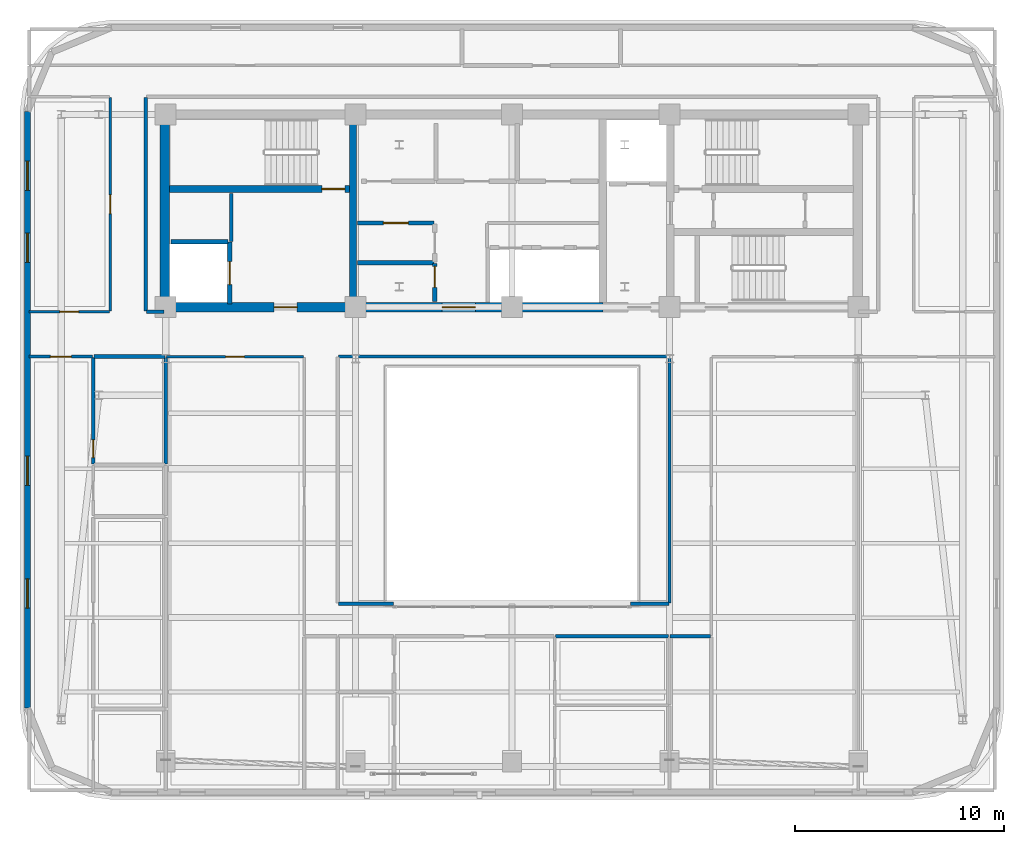
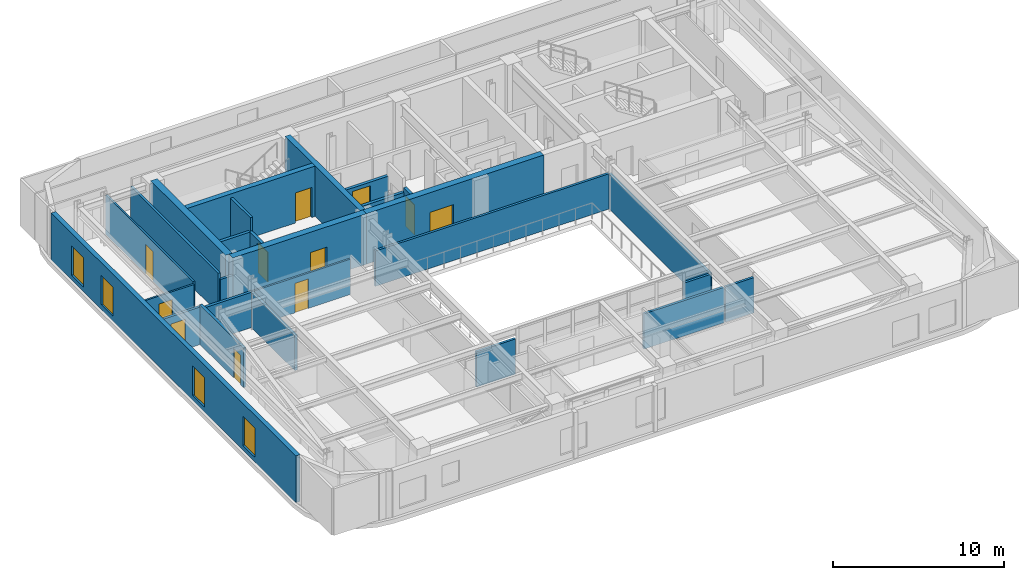
# One storey, part 7 of 14: 27 walls, 11 doors, 4 windows, 15 openings.
"""IFC4 building model written with IfcOpenShell, lengths in metres."""

from ifc_helpers import new_model, si_unit, direction, frame, frame_2d, origin, place, context, subcontext, project, spatial, rectangle, extrude, material, layer, layer_set, type_object, element, fill, save


model = new_model("IFC4")

# Units and contexts
model_context = context("Model", 3, precision=1e-05, world=origin(), true_north=direction((0.0, 1.0)))
body_context = subcontext(model_context, "Body", "Model", "MODEL_VIEW")
ifc_project = project(units=[si_unit("LENGTHUNIT", "METRE"), si_unit("AREAUNIT", "SQUARE_METRE"), si_unit("VOLUMEUNIT", "CUBIC_METRE"), si_unit("PLANEANGLEUNIT", "RADIAN"), si_unit("MASSUNIT", "GRAM", prefix="KILO")], contexts=[model_context])

# Site, building, storey
site_placement = place(None, origin())
site = spatial("IfcSite", under=ifc_project, at=site_placement, CompositionType="ELEMENT")
building_placement = place(site_placement, origin())
building = spatial("IfcBuilding", under=site, at=building_placement, Name="Zarnavel Station Tower", CompositionType="ELEMENT")
storey_placement = place(building_placement, frame((0.0, 0.0, 222.0)))
storey = spatial("IfcBuildingStorey", under=building, at=storey_placement, Name="L60", CompositionType="ELEMENT", Elevation=222.0)

# Wall
ifc_material_1 = material(Name="Concrete C50/60", Category="concrete")
ifc_layer_1 = layer(ifc_material_1, 0.35009765625)
ifc_layer_set_1 = layer_set([ifc_layer_1], Name="CW_350")
wall_type_1 = type_object("IfcWallType", Name="CW_350", PredefinedType="SHEAR", material=ifc_layer_set_1)
wall_1_placement = place(storey_placement, frame((21.179931640625, 28.044921875, 0.0), z_axis=(0.0, 0.0, 1.0), x_axis=(0.0, 1.0, 0.0)))
element("IfcWall", 1, at=wall_1_placement, inside=storey, type_object=wall_type_1, Name="L60 Rear Core Shear Wall DIV-W", PredefinedType="SHEAR", context=body_context, shape_type="SweptSolid", body=[
    extrude(rectangle(XDim=8.780029296875, YDim=0.35009765625, at=frame_2d((4.39013671875, 0.0))), origin(), (0.0, 0.0, 1.0), 3.60009765625),
])

# Wall, opening, door
wall_2_placement = place(storey_placement, frame((21.0048828125, 33.47998046875, 0.0), z_axis=(0.0, 0.0, 1.0), x_axis=(-1.0, 0.0, 0.0)))
wall_2 = element("IfcWall", 2, at=wall_2_placement, inside=storey, type_object=wall_type_1, Name="L60 Rear Core Shear Wall DIV-H1", PredefinedType="SHEAR", context=body_context, shape_type="SweptSolid", body=[
    extrude(rectangle(XDim=8.6298828125, YDim=0.35009765625, at=frame_2d((4.31494140625, 0.0))), origin(), (0.0, 0.0, 1.0), 3.60009765625),
])
opening_1_placement = place(wall_2_placement, frame((0.219970703125, 0.0, 0.0)))
opening_1 = element("IfcOpeningElement", 3, at=opening_1_placement, cuts=wall_2, Name="Opening FD01", PredefinedType="OPENING", context=body_context, shape_type="SweptSolid", body=[
    extrude(rectangle(XDim=1.10009765625, YDim=2.14990234375, at=frame_2d((0.550048828125, 1.074951171875))), frame((0.0, 0.18505859375, 0.0), z_axis=(0.0, -1.0, 0.0), x_axis=(1.0, 0.0, 0.0)), (0.0, 0.0, 1.0), 0.3701171875),
])
ifc_material_2 = material(Name="Painted Galvanised Steel and Hardwood Leaf", Category="steel")
door_type_1 = type_object("IfcDoorType", Name="ID_STAIR_1100", OperationType="NOTDEFINED", PredefinedType="DOOR", material=ifc_material_2)
door_1_placement = place(opening_1_placement, origin())
door_1 = element("IfcDoor", 4, at=door_1_placement, inside=storey, type_object=door_type_1, Name="L60 Stair ST1 Lobby Fire Door", OperationType="SINGLE_SWING_LEFT", OverallHeight=2.14990234375, OverallWidth=1.10009765625, PredefinedType="DOOR", context=body_context, shape_type="SweptSolid", body=[
    extrude(rectangle(XDim=1.10009765625, YDim=2.14990234375, at=frame_2d((0.550048828125, 1.074951171875))), frame((0.0, 0.02490234375, 0.0), z_axis=(0.0, -1.0, 0.0), x_axis=(1.0, 0.0, 0.0)), (0.0, 0.0, 1.0), 0.050048828125),
])
fill(opening_1, door_1)

ifc_material_3 = material(Name="Concrete C50/60", Category="concrete")
ifc_layer_2 = layer(ifc_material_3, 0.449951171875)
ifc_layer_set_2 = layer_set([ifc_layer_2], Name="CW_450")
wall_type_2 = type_object("IfcWallType", Name="CW_450", PredefinedType="SHEAR", material=ifc_layer_set_2)
wall_3_placement = place(storey_placement, frame((21.179931640625, 27.820068359375, 0.0), z_axis=(0.0, 0.0, 1.0), x_axis=(-1.0, 0.0, 0.0)))
wall_3 = element("IfcWall", 5, at=wall_3_placement, inside=storey, type_object=wall_type_2, Name="L60 Rear Core Shear Wall S-W", PredefinedType="SHEAR", context=body_context, shape_type="SweptSolid", body=[
    extrude(rectangle(XDim=9.030029296875, YDim=0.449951171875, at=frame_2d((4.51513671875, 0.0))), origin(), (0.0, 0.0, 1.0), 3.60009765625),
])
opening_2_placement = place(wall_3_placement, frame((2.679931640625, 0.0, 0.0)))
opening_2 = element("IfcOpeningElement", 6, at=opening_2_placement, cuts=wall_3, Name="Opening FD01", PredefinedType="OPENING", context=body_context, shape_type="SweptSolid", body=[
    extrude(rectangle(XDim=1.10009765625, YDim=2.14990234375, at=frame_2d((0.550048828125, 1.074951171875))), frame((0.0, 0.23486328125, 0.0), z_axis=(0.0, -1.0, 0.0), x_axis=(1.0, 0.0, 0.0)), (0.0, 0.0, 1.0), 0.469970703125),
])
door_2_placement = place(opening_2_placement, origin())
door_2 = element("IfcDoor", 7, at=door_2_placement, inside=storey, type_object=door_type_1, Name="L60 West Firefighting Lobby Door", OperationType="SINGLE_SWING_RIGHT", OverallHeight=2.14990234375, OverallWidth=1.10009765625, PredefinedType="DOOR", context=body_context, shape_type="SweptSolid", body=[
    extrude(rectangle(XDim=1.10009765625, YDim=2.14990234375, at=frame_2d((0.550048828125, 1.074951171875))), frame((0.0, 0.02490234375, 0.0), z_axis=(0.0, -1.0, 0.0), x_axis=(1.0, 0.0, 0.0)), (0.0, 0.0, 1.0), 0.050048828125),
])
fill(opening_2, door_2)

wall_4_placement = place(storey_placement, frame((33.14990234375, 27.820068359375, 0.0), z_axis=(0.0, 0.0, 1.0), x_axis=(-1.0, 0.0, 0.0)))
wall_4 = element("IfcWall", 8, at=wall_4_placement, inside=storey, type_object=wall_type_2, Name="L60 Rear Core Shear Wall S-M", PredefinedType="SHEAR", context=body_context, shape_type="SweptSolid", body=[
    extrude(rectangle(XDim=11.969970703125, YDim=0.449951171875, at=frame_2d((5.98486328125, 0.0))), origin(), (0.0, 0.0, 1.0), 3.60009765625),
])
opening_3_placement = place(wall_4_placement, frame((6.10009765625, 0.0, 0.0)))
opening_3 = element("IfcOpeningElement", 9, at=opening_3_placement, cuts=wall_4, Name="Opening ID03", PredefinedType="OPENING", context=body_context, shape_type="SweptSolid", body=[
    extrude(rectangle(XDim=1.60009765625, YDim=2.199951171875, at=frame_2d((0.800048828125, 1.10009765625))), frame((0.0, 0.23486328125, 0.0), z_axis=(0.0, -1.0, 0.0), x_axis=(1.0, 0.0, 0.0)), (0.0, 0.0, 1.0), 0.469970703125),
])
ifc_material_4 = material(Name="Painted Galvanised Steel and Hardwood Leaf", Category="steel")
door_type_2 = type_object("IfcDoorType", Name="ID_PUBLIC_1600", OperationType="DOUBLE_DOOR_SINGLE_SWING", PredefinedType="DOOR", material=ifc_material_4)
door_3_placement = place(opening_3_placement, origin())
door_3 = element("IfcDoor", 10, at=door_3_placement, inside=storey, type_object=door_type_2, Name="L60 Passenger Lift Lobby Double Door", OperationType="SINGLE_SWING_LEFT", OverallHeight=2.199951171875, OverallWidth=1.60009765625, PredefinedType="DOOR", context=body_context, shape_type="SweptSolid", body=[
    extrude(rectangle(XDim=1.60009765625, YDim=2.199951171875, at=frame_2d((0.800048828125, 1.10009765625))), frame((0.0, 0.02490234375, 0.0), z_axis=(0.0, -1.0, 0.0), x_axis=(1.0, 0.0, 0.0)), (0.0, 0.0, 1.0), 0.050048828125),
])
fill(opening_3, door_3)

# Wall
wall_5_placement = place(storey_placement, frame((12.14990234375, 28.044921875, 0.0), z_axis=(0.0, 0.0, 1.0), x_axis=(0.0, 1.0, 0.0)))
element("IfcWall", 11, at=wall_5_placement, inside=storey, type_object=wall_type_2, Name="L60 Rear Core Shear Wall W", PredefinedType="SHEAR", context=body_context, shape_type="SweptSolid", body=[
    extrude(rectangle(XDim=8.780029296875, YDim=0.449951171875, at=frame_2d((4.39013671875, 0.0))), origin(), (0.0, 0.0, 1.0), 3.60009765625),
])

# Wall, openings, windows
ifc_material_5 = material(Name="Precast concrete C45/55 (Dark Basalt Finish)", Category="masonry")
ifc_layer_3 = layer(ifc_material_5, 0.300048828125)
ifc_layer_set_3 = layer_set([ifc_layer_3], Name="EW_BASALT_300")
wall_type_3 = type_object("IfcWallType", Name="EW_BASALT_300", PredefinedType="SOLIDWALL", material=ifc_layer_set_3)
wall_6_placement = place(storey_placement, frame((5.580078125, 8.60009765625, 0.0), z_axis=(0.0, 0.0, 1.0), x_axis=(0.0, 1.0, 0.0)))
wall_6 = element("IfcWall", 12, at=wall_6_placement, inside=storey, type_object=wall_type_3, Name="L60 Exterior Basalt Masonry Frame Wall 09", PredefinedType="SOLIDWALL", context=body_context, shape_type="SweptSolid", body=[
    extrude(rectangle(XDim=28.599853515625, YDim=0.300048828125, at=frame_2d((14.2998046875, 0.0))), origin(), (0.0, 0.0, 1.0), 3.340087890625),
])
opening_4_placement = place(wall_6_placement, frame((21.360107421875, 0.0, 0.340087890625)))
opening_4 = element("IfcOpeningElement", 13, at=opening_4_placement, cuts=wall_6, Name="Opening WN04", PredefinedType="OPENING", context=body_context, shape_type="SweptSolid", body=[
    extrude(rectangle(XDim=1.39990234375, YDim=2.10009765625, at=frame_2d((0.699951171875, 1.050048828125))), frame((0.0, 0.159912109375, 0.0), z_axis=(0.0, -1.0, 0.0), x_axis=(1.0, 0.0, 0.0)), (0.0, 0.0, 1.0), 0.320068359375),
])
opening_5_placement = place(wall_6_placement, frame((24.820068359375, 0.0, 0.340087890625)))
opening_5 = element("IfcOpeningElement", 14, at=opening_5_placement, cuts=wall_6, Name="Opening WN04", PredefinedType="OPENING", context=body_context, shape_type="SweptSolid", body=[
    extrude(rectangle(XDim=1.39990234375, YDim=2.10009765625, at=frame_2d((0.699951171875, 1.050048828125))), frame((0.0, 0.159912109375, 0.0), z_axis=(0.0, -1.0, 0.0), x_axis=(1.0, 0.0, 0.0)), (0.0, 0.0, 1.0), 0.320068359375),
])
opening_6_placement = place(wall_6_placement, frame((4.796630859375, 0.0, 0.340087890625)))
opening_6 = element("IfcOpeningElement", 15, at=opening_6_placement, cuts=wall_6, Name="Opening WN04", PredefinedType="OPENING", context=body_context, shape_type="SweptSolid", body=[
    extrude(rectangle(XDim=1.39990234375, YDim=2.10009765625, at=frame_2d((0.699951171875, 1.050048828125))), frame((0.0, 0.159912109375, 0.0), z_axis=(0.0, -1.0, 0.0), x_axis=(1.0, 0.0, 0.0)), (0.0, 0.0, 1.0), 0.320068359375),
])
opening_7_placement = place(wall_6_placement, frame((10.67333984375, 0.0, 0.340087890625)))
opening_7 = element("IfcOpeningElement", 16, at=opening_7_placement, cuts=wall_6, Name="Opening WN04", PredefinedType="OPENING", context=body_context, shape_type="SweptSolid", body=[
    extrude(rectangle(XDim=1.39990234375, YDim=2.10009765625, at=frame_2d((0.699951171875, 1.050048828125))), frame((0.0, 0.159912109375, 0.0), z_axis=(0.0, -1.0, 0.0), x_axis=(1.0, 0.0, 0.0)), (0.0, 0.0, 1.0), 0.320068359375),
])
ifc_material_6 = material(Name="Thermally Broken Black Aluminium and Low-E Dark Glass", Category="aluminium")
window_type = type_object("IfcWindowType", Name="WN_1400x2100", PartitioningType="DOUBLE_PANEL_VERTICAL", PredefinedType="WINDOW", material=ifc_material_6)
window_1_placement = place(opening_4_placement, origin())
window_1 = element("IfcWindow", 17, at=window_1_placement, inside=storey, type_object=window_type, Name="L60 Recessed Facade Window 01", OverallHeight=2.10009765625, OverallWidth=1.39990234375, PartitioningType="SINGLE_PANEL", PredefinedType="WINDOW", context=body_context, shape_type="SweptSolid", body=[
    extrude(rectangle(XDim=1.39990234375, YDim=2.10009765625, at=frame_2d((0.699951171875, 1.050048828125))), frame((0.0, 0.030029296875, 0.0), z_axis=(0.0, -1.0, 0.0), x_axis=(1.0, 0.0, 0.0)), (0.0, 0.0, 1.0), 0.06005859375),
])
fill(opening_4, window_1)
window_2_placement = place(opening_5_placement, origin())
window_2 = element("IfcWindow", 18, at=window_2_placement, inside=storey, type_object=window_type, Name="L60 Recessed Facade Window 02", OverallHeight=2.10009765625, OverallWidth=1.39990234375, PartitioningType="SINGLE_PANEL", PredefinedType="WINDOW", context=body_context, shape_type="SweptSolid", body=[
    extrude(rectangle(XDim=1.39990234375, YDim=2.10009765625, at=frame_2d((0.699951171875, 1.050048828125))), frame((0.0, 0.030029296875, 0.0), z_axis=(0.0, -1.0, 0.0), x_axis=(1.0, 0.0, 0.0)), (0.0, 0.0, 1.0), 0.06005859375),
])
fill(opening_5, window_2)
window_3_placement = place(opening_6_placement, origin())
window_3 = element("IfcWindow", 19, at=window_3_placement, inside=storey, type_object=window_type, Name="L60 Recessed Facade Window 03", OverallHeight=2.10009765625, OverallWidth=1.39990234375, PartitioningType="SINGLE_PANEL", PredefinedType="WINDOW", context=body_context, shape_type="SweptSolid", body=[
    extrude(rectangle(XDim=1.39990234375, YDim=2.10009765625, at=frame_2d((0.699951171875, 1.050048828125))), frame((0.0, 0.030029296875, 0.0), z_axis=(0.0, -1.0, 0.0), x_axis=(1.0, 0.0, 0.0)), (0.0, 0.0, 1.0), 0.06005859375),
])
fill(opening_6, window_3)
window_4_placement = place(opening_7_placement, origin())
window_4 = element("IfcWindow", 20, at=window_4_placement, inside=storey, type_object=window_type, Name="L60 Recessed Facade Window 04", OverallHeight=2.10009765625, OverallWidth=1.39990234375, PartitioningType="SINGLE_PANEL", PredefinedType="WINDOW", context=body_context, shape_type="SweptSolid", body=[
    extrude(rectangle(XDim=1.39990234375, YDim=2.10009765625, at=frame_2d((0.699951171875, 1.050048828125))), frame((0.0, 0.030029296875, 0.0), z_axis=(0.0, -1.0, 0.0), x_axis=(1.0, 0.0, 0.0)), (0.0, 0.0, 1.0), 0.06005859375),
])
fill(opening_7, window_4)

# Wall, opening, door
ifc_material_7 = material(Name="Gypsum Twin-Stud Acoustic Fire Partition", Category="concrete")
ifc_layer_4 = layer(ifc_material_7, 0.159912109375)
ifc_layer_set_4 = layer_set([ifc_layer_4], Name="PT_DEMISE_160")
wall_type_4 = type_object("IfcWallType", Name="PT_DEMISE_160", PredefinedType="PARTITIONING", material=ifc_layer_set_4)
wall_7_placement = place(storey_placement, frame((5.659912109375, 25.449951171875, 0.0), z_axis=(0.0, 0.0, 1.0), x_axis=(1.0, 0.0, 0.0)))
wall_7 = element("IfcWall", 21, at=wall_7_placement, inside=storey, type_object=wall_type_4, Name="L60 Partition COR-S-UW1LV", PredefinedType="PARTITIONING", context=body_context, shape_type="SweptSolid", body=[
    extrude(rectangle(XDim=3.0341796875, YDim=0.159912109375, at=frame_2d((1.51708984375, 0.0))), origin(), (0.0, 0.0, 1.0), 2.669921875),
])
opening_8_placement = place(wall_7_placement, frame((1.01708984375, 0.0, 0.0)))
opening_8 = element("IfcOpeningElement", 22, at=opening_8_placement, cuts=wall_7, Name="Opening FD02", PredefinedType="OPENING", context=body_context, shape_type="SweptSolid", body=[
    extrude(rectangle(XDim=1.0, YDim=2.14990234375, at=frame_2d((0.5, 1.074951171875))), frame((0.0, 0.08984375, 0.0), z_axis=(0.0, -1.0, 0.0), x_axis=(1.0, 0.0, 0.0)), (0.0, 0.0, 1.0), 0.179931640625),
])
ifc_material_8 = material(Name="Painted Galvanised Steel and Hardwood Leaf", Category="steel")
door_type_3 = type_object("IfcDoorType", Name="ID_ENTRY_1000", OperationType="NOTDEFINED", PredefinedType="DOOR", material=ifc_material_8)
door_4_placement = place(opening_8_placement, origin())
door_4 = element("IfcDoor", 23, at=door_4_placement, inside=storey, type_object=door_type_3, Name="L60 Door COR-S-UW1LV", OperationType="SINGLE_SWING_RIGHT", OverallHeight=2.14990234375, OverallWidth=1.0, PredefinedType="DOOR", context=body_context, shape_type="SweptSolid", body=[
    extrude(rectangle(XDim=1.0, YDim=2.14990234375, at=frame_2d((0.5, 1.074951171875))), frame((0.0, 0.02490234375, 0.0), z_axis=(0.0, -1.0, 0.0), x_axis=(1.0, 0.0, 0.0)), (0.0, 0.0, 1.0), 0.050048828125),
])
fill(opening_8, door_4)

# Walls
wall_8_placement = place(storey_placement, frame((30.889892578125, 12.050048828125, 0.0), z_axis=(0.0, 0.0, 1.0), x_axis=(1.0, 0.0, 0.0)))
element("IfcWall", 24, at=wall_8_placement, inside=storey, type_object=wall_type_4, Name="L60 Partition COR-AS-US1B2", PredefinedType="PARTITIONING", context=body_context, shape_type="SweptSolid", body=[
    extrude(rectangle(XDim=5.420166015625, YDim=0.159912109375, at=frame_2d((2.7099609375, 0.0))), origin(), (0.0, 0.0, 1.0), 2.52001953125),
])
wall_9_placement = place(storey_placement, frame((15.35009765625, 30.9599609375, 0.0), z_axis=(0.0, 0.0, 1.0), x_axis=(0.0, 1.0, 0.0)))
element("IfcWall", 25, at=wall_9_placement, inside=storey, type_object=wall_type_4, Name="L60 Enclosure Wall FFL1", PredefinedType="PARTITIONING", context=body_context, shape_type="SweptSolid", body=[
    extrude(rectangle(XDim=2.31005859375, YDim=0.159912109375, at=frame_2d((1.155029296875, 0.0))), origin(), (0.0, 0.0, 1.0), 3.340087890625),
])
wall_10_placement = place(storey_placement, frame((20.47998046875, 25.449951171875, 0.0), z_axis=(0.0, 0.0, 1.0), x_axis=(1.0, 0.0, 0.0)))
element("IfcWall", 26, at=wall_10_placement, inside=storey, type_object=wall_type_4, Name="L60 Enclosure Wall COR-S", PredefinedType="PARTITIONING", context=body_context, shape_type="SweptSolid", body=[
    extrude(rectangle(XDim=15.840087890625, YDim=0.159912109375, at=frame_2d((7.919921875, 0.0))), origin(), (0.0, 0.0, 1.0), 2.52001953125),
])
wall_11_placement = place(storey_placement, frame((11.280029296875, 27.60009765625, 0.0), z_axis=(0.0, 0.0, 1.0), x_axis=(1.0, 0.0, 0.0)))
element("IfcWall", 27, at=wall_11_placement, inside=storey, type_object=wall_type_4, Name="L60 Enclosure Wall COR-S", PredefinedType="PARTITIONING", context=body_context, shape_type="SweptSolid", body=[
    extrude(rectangle(XDim=0.840087890625, YDim=0.159912109375, at=frame_2d((0.419921875, 0.0))), origin(), (0.0, 0.0, 1.0), 2.409912109375),
])
wall_12_placement = place(storey_placement, frame((36.3798828125, 12.050048828125, 0.0), z_axis=(0.0, 0.0, 1.0), x_axis=(1.0, 0.0, 0.0)))
element("IfcWall", 28, at=wall_12_placement, inside=storey, type_object=wall_type_4, Name="L60 Enclosure Wall COR-AE", PredefinedType="PARTITIONING", context=body_context, shape_type="SweptSolid", body=[
    extrude(rectangle(XDim=1.940185546875, YDim=0.159912109375, at=frame_2d((0.97021484375, 0.0))), origin(), (0.0, 0.0, 1.0), 2.52001953125),
])
wall_13_placement = place(storey_placement, frame((36.35009765625, 13.6298828125, 0.0), z_axis=(0.0, 0.0, 1.0), x_axis=(0.0, 1.0, 0.0)))
element("IfcWall", 29, at=wall_13_placement, inside=storey, type_object=wall_type_4, Name="L60 Enclosure Wall COR-AE", PredefinedType="PARTITIONING", context=body_context, shape_type="SweptSolid", body=[
    extrude(rectangle(XDim=11.7900390625, YDim=0.159912109375, at=frame_2d((5.89501953125, 0.0))), origin(), (0.0, 0.0, 1.0), 2.52001953125),
])
wall_14_placement = place(storey_placement, frame((20.47998046875, 13.60009765625, 0.0), z_axis=(0.0, 0.0, 1.0), x_axis=(1.0, 0.0, 0.0)))
element("IfcWall", 30, at=wall_14_placement, inside=storey, type_object=wall_type_4, Name="L60 Enclosure Wall COR-AS", PredefinedType="PARTITIONING", context=body_context, shape_type="SweptSolid", body=[
    extrude(rectangle(XDim=2.64013671875, YDim=0.159912109375, at=frame_2d((1.320068359375, 0.0))), origin(), (0.0, 0.0, 1.0), 2.52001953125),
])
wall_15_placement = place(storey_placement, frame((34.47998046875, 13.60009765625, 0.0), z_axis=(0.0, 0.0, 1.0), x_axis=(1.0, 0.0, 0.0)))
element("IfcWall", 31, at=wall_15_placement, inside=storey, type_object=wall_type_4, Name="L60 Enclosure Wall COR-AS", PredefinedType="PARTITIONING", context=body_context, shape_type="SweptSolid", body=[
    extrude(rectangle(XDim=1.840087890625, YDim=0.159912109375, at=frame_2d((0.919921875, 0.0))), origin(), (0.0, 0.0, 1.0), 2.52001953125),
])
wall_16_placement = place(storey_placement, frame((11.25, 27.6298828125, 0.0), z_axis=(0.0, 0.0, 1.0), x_axis=(0.0, 1.0, 0.0)))
element("IfcWall", 32, at=wall_16_placement, inside=storey, type_object=wall_type_4, Name="L60 Enclosure Wall COR-W", PredefinedType="PARTITIONING", context=body_context, shape_type="SweptSolid", body=[
    extrude(rectangle(XDim=10.240234375, YDim=0.159912109375, at=frame_2d((5.1201171875, 0.0))), origin(), (0.0, 0.0, 1.0), 2.820068359375),
])

# Wall, opening, door
ifc_material_9 = material(Name="Gypsum Metal-Stud Interior Partition", Category="concrete")
ifc_layer_5 = layer(ifc_material_9, 0.1201171875)
ifc_layer_set_5 = layer_set([ifc_layer_5], Name="PT_ROOM_120")
wall_type_5 = type_object("IfcWallType", Name="PT_ROOM_120", PredefinedType="PARTITIONING", material=ifc_layer_set_5)
wall_17_placement = place(storey_placement, frame((5.659912109375, 27.60009765625, 0.0), z_axis=(0.0, 0.0, 1.0), x_axis=(1.0, 0.0, 0.0)))
wall_17 = element("IfcWall", 33, at=wall_17_placement, inside=storey, type_object=wall_type_5, Name="L60 Partition COR-S-FNW", PredefinedType="PARTITIONING", context=body_context, shape_type="SweptSolid", body=[
    extrude(rectangle(XDim=3.85009765625, YDim=0.1201171875, at=frame_2d((1.925048828125, 0.0))), origin(), (0.0, 0.0, 1.0), 2.669921875),
])
opening_9_placement = place(wall_17_placement, frame((1.47509765625, 0.0, 0.0)))
opening_9 = element("IfcOpeningElement", 34, at=opening_9_placement, cuts=wall_17, Name="Opening ID01", PredefinedType="OPENING", context=body_context, shape_type="SweptSolid", body=[
    extrude(rectangle(XDim=0.89990234375, YDim=2.10009765625, at=frame_2d((0.449951171875, 1.050048828125))), frame((0.0, 0.070068359375, 0.0), z_axis=(0.0, -1.0, 0.0), x_axis=(1.0, 0.0, 0.0)), (0.0, 0.0, 1.0), 0.14013671875),
])
ifc_material_10 = material(Name="Painted Galvanised Steel and Hardwood Leaf", Category="steel")
door_type_4 = type_object("IfcDoorType", Name="ID_ROOM_900", OperationType="NOTDEFINED", PredefinedType="DOOR", material=ifc_material_10)
door_5_placement = place(opening_9_placement, origin())
door_5 = element("IfcDoor", 35, at=door_5_placement, inside=storey, type_object=door_type_4, Name="L60 Door COR-S-FNW", OperationType="SINGLE_SWING_RIGHT", OverallHeight=2.10009765625, OverallWidth=0.89990234375, PredefinedType="DOOR", context=body_context, shape_type="SweptSolid", body=[
    extrude(rectangle(XDim=0.89990234375, YDim=2.10009765625, at=frame_2d((0.449951171875, 1.050048828125))), frame((0.0, 0.02490234375, 0.0), z_axis=(0.0, -1.0, 0.0), x_axis=(1.0, 0.0, 0.0)), (0.0, 0.0, 1.0), 0.050048828125),
])
fill(opening_9, door_5)

wall_18_placement = place(storey_placement, frame((12.239990234375, 25.449951171875, 0.0), z_axis=(0.0, 0.0, 1.0), x_axis=(1.0, 0.0, 0.0)))
wall_18 = element("IfcWall", 36, at=wall_18_placement, inside=storey, type_object=wall_type_5, Name="L60 Partition COR-S-L59LIB", PredefinedType="PARTITIONING", context=body_context, shape_type="SweptSolid", body=[
    extrude(rectangle(XDim=6.570068359375, YDim=0.1201171875, at=frame_2d((3.28515625, 0.0))), origin(), (0.0, 0.0, 1.0), 2.52001953125),
])
opening_10_placement = place(wall_18_placement, frame((2.8349609375, 0.0, 0.0)))
opening_10 = element("IfcOpeningElement", 37, at=opening_10_placement, cuts=wall_18, Name="Opening ID01", PredefinedType="OPENING", context=body_context, shape_type="SweptSolid", body=[
    extrude(rectangle(XDim=0.89990234375, YDim=2.10009765625, at=frame_2d((0.449951171875, 1.050048828125))), frame((0.0, 0.070068359375, 0.0), z_axis=(0.0, -1.0, 0.0), x_axis=(1.0, 0.0, 0.0)), (0.0, 0.0, 1.0), 0.14013671875),
])
door_6_placement = place(opening_10_placement, origin())
door_6 = element("IfcDoor", 38, at=door_6_placement, inside=storey, type_object=door_type_4, Name="L60 Door COR-S-L59LIB", OperationType="SINGLE_SWING_LEFT", OverallHeight=2.10009765625, OverallWidth=0.89990234375, PredefinedType="DOOR", context=body_context, shape_type="SweptSolid", body=[
    extrude(rectangle(XDim=0.89990234375, YDim=2.10009765625, at=frame_2d((0.449951171875, 1.050048828125))), frame((0.0, 0.02490234375, 0.0), z_axis=(0.0, -1.0, 0.0), x_axis=(1.0, 0.0, 0.0)), (0.0, 0.0, 1.0), 0.050048828125),
])
fill(opening_10, door_6)

wall_19_placement = place(storey_placement, frame((9.550048828125, 27.639892578125, 0.0), z_axis=(0.0, 0.0, 1.0), x_axis=(0.0, 1.0, 0.0)))
wall_19 = element("IfcWall", 39, at=wall_19_placement, inside=storey, type_object=wall_type_5, Name="L60 Partition COR-W-FNW", PredefinedType="PARTITIONING", context=body_context, shape_type="SweptSolid", body=[
    extrude(rectangle(XDim=10.22021484375, YDim=0.1201171875, at=frame_2d((5.110107421875, 0.0))), origin(), (0.0, 0.0, 1.0), 2.820068359375),
])
opening_11_placement = place(wall_19_placement, frame((4.659912109375, 0.0, 0.0)))
opening_11 = element("IfcOpeningElement", 40, at=opening_11_placement, cuts=wall_19, Name="Opening ID01", PredefinedType="OPENING", context=body_context, shape_type="SweptSolid", body=[
    extrude(rectangle(XDim=0.89990234375, YDim=2.10009765625, at=frame_2d((0.449951171875, 1.050048828125))), frame((0.0, 0.070068359375, 0.0), z_axis=(0.0, -1.0, 0.0), x_axis=(1.0, 0.0, 0.0)), (0.0, 0.0, 1.0), 0.14013671875),
])
door_7_placement = place(opening_11_placement, origin())
door_7 = element("IfcDoor", 41, at=door_7_placement, inside=storey, type_object=door_type_4, Name="L60 Door COR-W-FNW", OperationType="SINGLE_SWING_LEFT", OverallHeight=2.10009765625, OverallWidth=0.89990234375, PredefinedType="DOOR", context=body_context, shape_type="SweptSolid", body=[
    extrude(rectangle(XDim=0.89990234375, YDim=2.10009765625, at=frame_2d((0.449951171875, 1.050048828125))), frame((0.0, 0.02490234375, 0.0), z_axis=(0.0, -1.0, 0.0), x_axis=(1.0, 0.0, 0.0)), (0.0, 0.0, 1.0), 0.050048828125),
])
fill(opening_11, door_7)

ifc_material_11 = material(Name="Precast concrete C45/55 (Fire Shaft Blockwork)", Category="masonry")
ifc_layer_6 = layer(ifc_material_11, 0.199951171875)
ifc_layer_set_6 = layer_set([ifc_layer_6], Name="PT_SHAFT_200")
wall_type_6 = type_object("IfcWallType", Name="PT_SHAFT_200", PredefinedType="PARTITIONING", material=ifc_layer_set_6)
wall_20_placement = place(storey_placement, frame((15.27001953125, 27.969970703125, 0.0), z_axis=(0.0, 0.0, 1.0), x_axis=(0.0, 1.0, 0.0)))
wall_20 = element("IfcWall", 42, at=wall_20_placement, inside=storey, type_object=wall_type_6, Name="L60 Lift FFL-01 Shaft Front Wall", PredefinedType="PARTITIONING", context=body_context, shape_type="SweptSolid", body=[
    extrude(rectangle(XDim=2.9599609375, YDim=0.199951171875, at=frame_2d((1.47998046875, 0.0))), origin(), (0.0, 0.0, 1.0), 2.409912109375),
])
opening_12_placement = place(wall_20_placement, frame((0.929931640625, 0.0, 0.0)))
opening_12 = element("IfcOpeningElement", 43, at=opening_12_placement, cuts=wall_20, Name="Opening LD01", PredefinedType="OPENING", context=body_context, shape_type="SweptSolid", body=[
    extrude(rectangle(XDim=1.10009765625, YDim=2.14990234375, at=frame_2d((0.550048828125, 1.074951171875))), frame((0.0, 0.10986328125, 0.0), z_axis=(0.0, -1.0, 0.0), x_axis=(1.0, 0.0, 0.0)), (0.0, 0.0, 1.0), 0.219970703125),
])
ifc_material_12 = material(Name="Painted Galvanised Steel and Hardwood Leaf", Category="steel")
door_type_5 = type_object("IfcDoorType", Name="LD_FF_1100", OperationType="DOUBLE_DOOR_SLIDING", PredefinedType="DOOR", material=ifc_material_12)
door_8_placement = place(opening_12_placement, origin())
door_8 = element("IfcDoor", 44, at=door_8_placement, inside=storey, type_object=door_type_5, Name="L60 Lift FFL-01 Sliding Landing Door", OperationType="DOUBLE_DOOR_SLIDING", OverallHeight=2.14990234375, OverallWidth=1.10009765625, PredefinedType="DOOR", context=body_context, shape_type="SweptSolid", body=[
    extrude(rectangle(XDim=1.10009765625, YDim=2.14990234375, at=frame_2d((0.550048828125, 1.074951171875))), frame((0.0, 0.02490234375, 0.0), z_axis=(0.0, -1.0, 0.0), x_axis=(1.0, 0.0, 0.0)), (0.0, 0.0, 1.0), 0.050048828125),
])
fill(opening_12, door_8)

# Wall
wall_21_placement = place(storey_placement, frame((12.449951171875, 30.949951171875, 0.0), z_axis=(0.0, 0.0, 1.0), x_axis=(1.0, 0.0, 0.0)))
element("IfcWall", 45, at=wall_21_placement, inside=storey, type_object=wall_type_6, Name="L60 Lift FFL-01 North Shaft Wall", PredefinedType="PARTITIONING", context=body_context, shape_type="SweptSolid", body=[
    extrude(rectangle(XDim=2.75, YDim=0.199951171875, at=frame_2d((1.375, 0.0))), origin(), (0.0, 0.0, 1.0), 2.409912109375),
])

# Wall, opening, door
wall_22_placement = place(storey_placement, frame((21.39990234375, 31.85009765625, 0.0), z_axis=(0.0, 0.0, 1.0), x_axis=(1.0, 0.0, 0.0)))
wall_22 = element("IfcWall", 46, at=wall_22_placement, inside=storey, type_object=wall_type_6, Name="L60 Partition LLOB-CS2", PredefinedType="PARTITIONING", context=body_context, shape_type="SweptSolid", body=[
    extrude(rectangle(XDim=3.66015625, YDim=0.199951171875, at=frame_2d((1.830078125, 0.0))), origin(), (0.0, 0.0, 1.0), 2.409912109375),
])
opening_13_placement = place(wall_22_placement, frame((1.22998046875, 0.0, 0.0)))
opening_13 = element("IfcOpeningElement", 47, at=opening_13_placement, cuts=wall_22, Name="Opening FD03", PredefinedType="OPENING", context=body_context, shape_type="SweptSolid", body=[
    extrude(rectangle(XDim=1.199951171875, YDim=2.14990234375, at=frame_2d((0.60009765625, 1.074951171875))), frame((0.0, 0.10986328125, 0.0), z_axis=(0.0, -1.0, 0.0), x_axis=(1.0, 0.0, 0.0)), (0.0, 0.0, 1.0), 0.219970703125),
])
ifc_material_13 = material(Name="Painted Galvanised Steel and Hardwood Leaf", Category="steel")
door_type_6 = type_object("IfcDoorType", Name="ID_PLANT_1200", OperationType="NOTDEFINED", PredefinedType="DOOR", material=ifc_material_13)
door_9_placement = place(opening_13_placement, origin())
door_9 = element("IfcDoor", 48, at=door_9_placement, inside=storey, type_object=door_type_6, Name="L60 Door LLOB-CS2", OperationType="SINGLE_SWING_RIGHT", OverallHeight=2.14990234375, OverallWidth=1.199951171875, PredefinedType="DOOR", context=body_context, shape_type="SweptSolid", body=[
    extrude(rectangle(XDim=1.199951171875, YDim=2.14990234375, at=frame_2d((0.60009765625, 1.074951171875))), frame((0.0, 0.02490234375, 0.0), z_axis=(0.0, -1.0, 0.0), x_axis=(1.0, 0.0, 0.0)), (0.0, 0.0, 1.0), 0.050048828125),
])
fill(opening_13, door_9)

wall_23_placement = place(storey_placement, frame((25.10009765625, 28.090087890625, 0.0), z_axis=(0.0, 0.0, 1.0), x_axis=(0.0, 1.0, 0.0)))
wall_23 = element("IfcWall", 49, at=wall_23_placement, inside=storey, type_object=wall_type_6, Name="L60 Partition LLOBS-CS1", PredefinedType="PARTITIONING", context=body_context, shape_type="SweptSolid", body=[
    extrude(rectangle(XDim=1.81982421875, YDim=0.199951171875, at=frame_2d((0.909912109375, 0.0))), origin(), (0.0, 0.0, 1.0), 2.719970703125),
])
opening_14_placement = place(wall_23_placement, frame((0.679931640625, 0.0, 0.0)))
opening_14 = element("IfcOpeningElement", 50, at=opening_14_placement, cuts=wall_23, Name="Opening FD02", PredefinedType="OPENING", context=body_context, shape_type="SweptSolid", body=[
    extrude(rectangle(XDim=1.0, YDim=2.14990234375, at=frame_2d((0.5, 1.074951171875))), frame((0.0, 0.10986328125, 0.0), z_axis=(0.0, -1.0, 0.0), x_axis=(1.0, 0.0, 0.0)), (0.0, 0.0, 1.0), 0.219970703125),
])
door_10_placement = place(opening_14_placement, origin())
door_10 = element("IfcDoor", 51, at=door_10_placement, inside=storey, type_object=door_type_3, Name="L60 Door LLOBS-CS1", OperationType="SINGLE_SWING_RIGHT", OverallHeight=2.14990234375, OverallWidth=1.0, PredefinedType="DOOR", context=body_context, shape_type="SweptSolid", body=[
    extrude(rectangle(XDim=1.0, YDim=2.14990234375, at=frame_2d((0.5, 1.074951171875))), frame((0.0, 0.02490234375, 0.0), z_axis=(0.0, -1.0, 0.0), x_axis=(1.0, 0.0, 0.0)), (0.0, 0.0, 1.0), 0.050048828125),
])
fill(opening_14, door_10)

# Walls
wall_24_placement = place(storey_placement, frame((21.39990234375, 29.949951171875, 0.0), z_axis=(0.0, 0.0, 1.0), x_axis=(1.0, 0.0, 0.0)))
element("IfcWall", 52, at=wall_24_placement, inside=storey, type_object=wall_type_6, Name="L60 Partition CS1-CS2", PredefinedType="PARTITIONING", context=body_context, shape_type="SweptSolid", body=[
    extrude(rectangle(XDim=3.66015625, YDim=0.199951171875, at=frame_2d((1.830078125, 0.0))), origin(), (0.0, 0.0, 1.0), 2.409912109375),
])
ifc_material_14 = material(Name="Moisture-Resistant Plumbing Chase Wall", Category="concrete")
ifc_layer_7 = layer(ifc_material_14, 0.179931640625)
ifc_layer_set_7 = layer_set([ifc_layer_7], Name="PW_PLUMB_180")
wall_type_7 = type_object("IfcWallType", Name="PW_PLUMB_180", PredefinedType="PLUMBINGWALL", material=ifc_layer_set_7)
wall_25_placement = place(storey_placement, frame((8.77392578125, 25.449951171875, 0.0), z_axis=(0.0, 0.0, 1.0), x_axis=(1.0, 0.0, 0.0)))
element("IfcWall", 53, at=wall_25_placement, inside=storey, type_object=wall_type_7, Name="L60 Partition COR-S-UW1BA", PredefinedType="PLUMBINGWALL", context=body_context, shape_type="SweptSolid", body=[
    extrude(rectangle(XDim=3.385986328125, YDim=0.179931640625, at=frame_2d((1.69287109375, 0.0))), origin(), (0.0, 0.0, 1.0), 2.52001953125),
])

# Wall, opening, door
wall_26_placement = place(storey_placement, frame((8.73388671875, 20.297119140625, 0.0), z_axis=(0.0, 0.0, 1.0), x_axis=(0.0, 1.0, 0.0)))
wall_26 = element("IfcWall", 54, at=wall_26_placement, inside=storey, type_object=wall_type_7, Name="L60 Partition UW1LV-UW1BA", PredefinedType="PLUMBINGWALL", context=body_context, shape_type="SweptSolid", body=[
    extrude(rectangle(XDim=5.11279296875, YDim=0.179931640625, at=frame_2d((2.556396484375, 0.0))), origin(), (0.0, 0.0, 1.0), 2.820068359375),
])
opening_15_placement = place(wall_26_placement, frame((0.305908203125, 0.0, 0.0)))
opening_15 = element("IfcOpeningElement", 55, at=opening_15_placement, cuts=wall_26, Name="Opening ID02", PredefinedType="OPENING", context=body_context, shape_type="SweptSolid", body=[
    extrude(rectangle(XDim=0.85009765625, YDim=2.10009765625, at=frame_2d((0.425048828125, 1.050048828125))), frame((0.0, 0.099853515625, 0.0), z_axis=(0.0, -1.0, 0.0), x_axis=(1.0, 0.0, 0.0)), (0.0, 0.0, 1.0), 0.199951171875),
])
ifc_material_15 = material(Name="Painted Galvanised Steel and Hardwood Leaf", Category="steel")
door_type_7 = type_object("IfcDoorType", Name="ID_BATH_850", OperationType="NOTDEFINED", PredefinedType="DOOR", material=ifc_material_15)
door_11_placement = place(opening_15_placement, origin())
door_11 = element("IfcDoor", 56, at=door_11_placement, inside=storey, type_object=door_type_7, Name="L60 Door UW1LV-UW1BA", OperationType="SINGLE_SWING_LEFT", OverallHeight=2.10009765625, OverallWidth=0.85009765625, PredefinedType="DOOR", context=body_context, shape_type="SweptSolid", body=[
    extrude(rectangle(XDim=0.85009765625, YDim=2.10009765625, at=frame_2d((0.425048828125, 1.050048828125))), frame((0.0, 0.02490234375, 0.0), z_axis=(0.0, -1.0, 0.0), x_axis=(1.0, 0.0, 0.0)), (0.0, 0.0, 1.0), 0.050048828125),
])
fill(opening_15, door_11)

# Wall
wall_27_placement = place(storey_placement, frame((12.199951171875, 20.297119140625, 0.0), z_axis=(0.0, 0.0, 1.0), x_axis=(0.0, 1.0, 0.0)))
element("IfcWall", 57, at=wall_27_placement, inside=storey, type_object=wall_type_7, Name="L60 Partition UW1BA-L59LIB", PredefinedType="PLUMBINGWALL", context=body_context, shape_type="SweptSolid", body=[
    extrude(rectangle(XDim=5.11279296875, YDim=0.179931640625, at=frame_2d((2.556396484375, 0.0))), origin(), (0.0, 0.0, 1.0), 2.52001953125),
])

save(model, "model.ifc")
